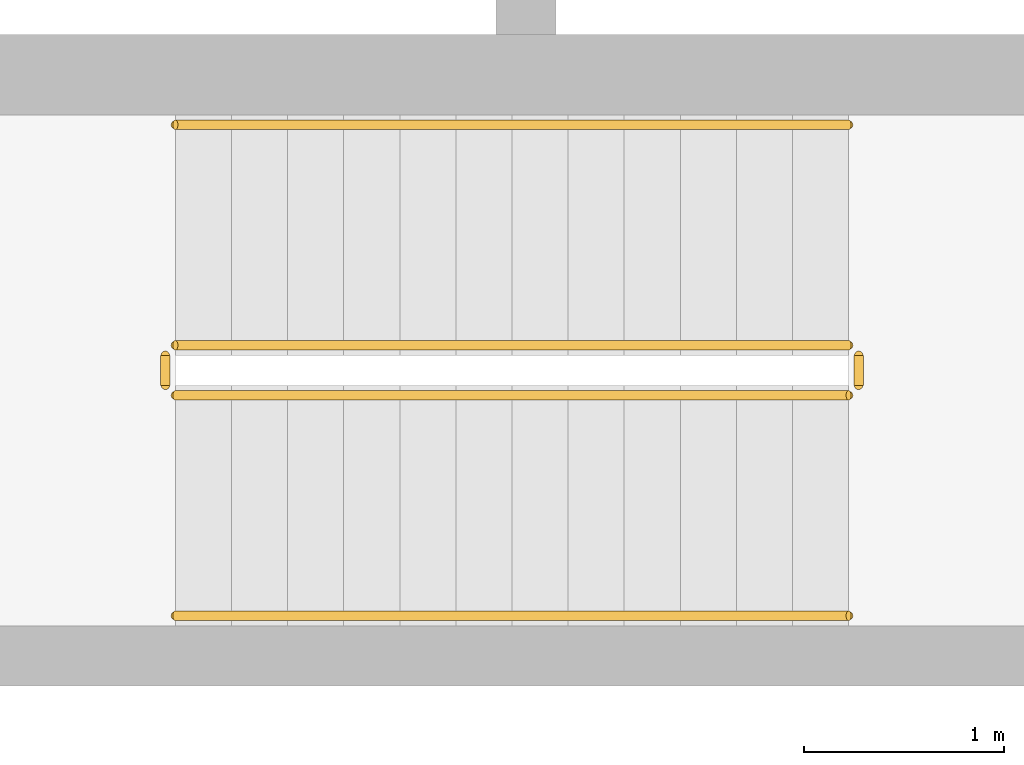
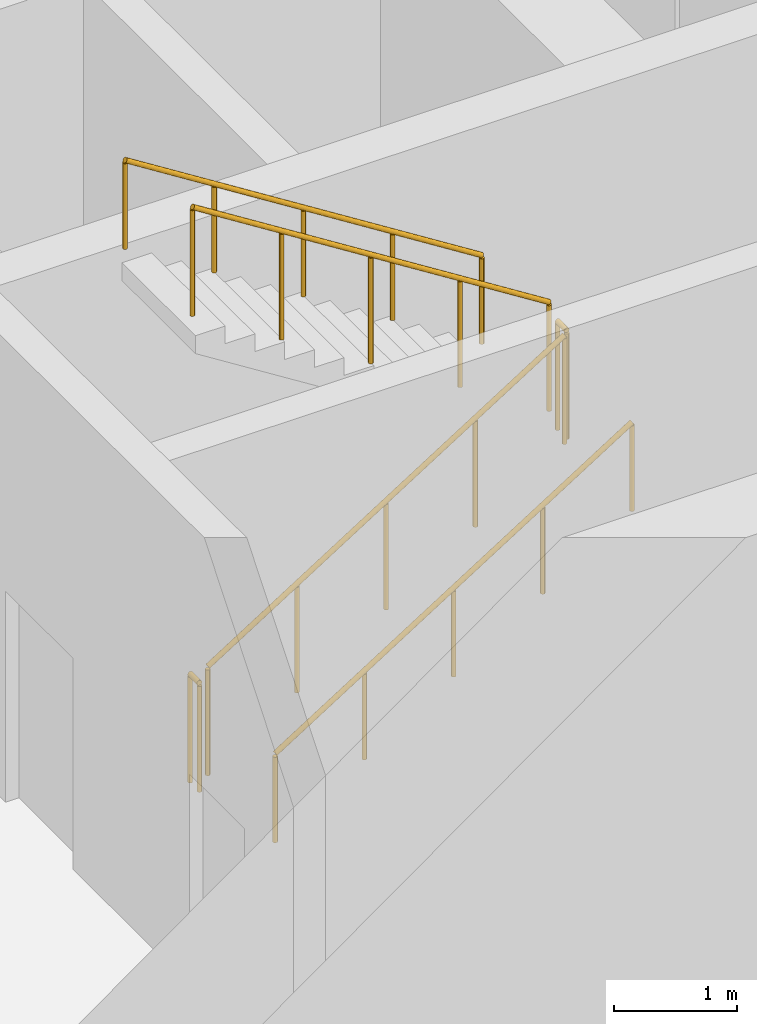
# One storey, part 14 of 19: 6 railings.
"""IFC4 building model written with IfcOpenShell, lengths in metres."""

from ifc_helpers import new_model, si_unit, direction, frame, origin, origin_2d, place, context, subcontext, project, spatial, circle, extrude, material, type_object, element, save


model = new_model("IFC4")

# Units and contexts
model_context = context("Model", 3, precision=1e-05, world=origin(), true_north=direction((0.0, 1.0)))
body_context = subcontext(model_context, "Body", "Model", "MODEL_VIEW")
ifc_project = project(units=[si_unit("LENGTHUNIT", "METRE"), si_unit("AREAUNIT", "SQUARE_METRE"), si_unit("VOLUMEUNIT", "CUBIC_METRE"), si_unit("PLANEANGLEUNIT", "RADIAN"), si_unit("MASSUNIT", "GRAM", prefix="KILO")], contexts=[model_context])

# Site, building, storey
site_placement = place(None, origin())
site = spatial("IfcSite", under=ifc_project, at=site_placement, CompositionType="ELEMENT")
building_placement = place(site_placement, origin())
building = spatial("IfcBuilding", under=site, at=building_placement, Name="Ostrand Prow Hotel Tower", CompositionType="ELEMENT")
storey_placement = place(building_placement, frame((0.0, 0.0, 170.89990234375)))
storey = spatial("IfcBuildingStorey", under=building, at=storey_placement, Name="L42", CompositionType="ELEMENT", Elevation=170.89990234375)

# Railings
ifc_material_1 = material(Name="Painted steel", Category="steel")
railing_type_1 = type_object("IfcRailingType", Name="Stair guard 1100", PredefinedType="GUARDRAIL", material=ifc_material_1)
railing_1_placement = place(storey_placement, frame((57.199951171875, -11.75, 0.177001953125)))
element("IfcRailing", 1, at=railing_1_placement, inside=storey, type_object=railing_type_1, Name="L42 ST2C stair guard 1", PredefinedType="GUARDRAIL", context=body_context, shape_type="SweptSolid", body=[
    extrude(circle(Radius=0.02392578125, at=origin_2d()), frame((0.0, 0.0, 1.076171875), z_axis=(0.845389635667, 0.0, 0.534150132366), x_axis=(0.0, 1.0, 0.0)), (0.0, 0.0, 1.0), 3.974609375),
    extrude(circle(Radius=0.02099609375, at=origin_2d()), origin(), (0.0, 0.0, 1.0), 1.052001953125),
    extrude(circle(Radius=0.02099609375, at=origin_2d()), frame((0.840087890625, 0.0, 0.53076171875)), (0.0, 0.0, 1.0), 1.052001953125),
    extrude(circle(Radius=0.02099609375, at=origin_2d()), frame((1.68017578125, 0.0, 1.0615234375)), (0.0, 0.0, 1.0), 1.052001953125),
    extrude(circle(Radius=0.02099609375, at=origin_2d()), frame((2.52001953125, 0.0, 1.59228515625)), (0.0, 0.0, 1.0), 1.052001953125),
    extrude(circle(Radius=0.02099609375, at=origin_2d()), frame((3.360107421875, 0.0, 2.123046875)), (0.0, 0.0, 1.0), 1.052001953125),
])
railing_2_placement = place(storey_placement, frame((60.610107421875, -11.699951171875, 2.300048828125)))
element("IfcRailing", 2, at=railing_2_placement, inside=storey, type_object=railing_type_1, Name="L42 ST2C stair guard 2", PredefinedType="GUARDRAIL", context=body_context, shape_type="SweptSolid", body=[
    extrude(circle(Radius=0.02392578125, at=origin_2d()), frame((0.0, 0.0, 1.076171875), z_axis=(0.0, 1.0, 0.0), x_axis=(-1.0, 0.0, 0.0)), (0.0, 0.0, 1.0), 0.14990234375),
    extrude(circle(Radius=0.02099609375, at=origin_2d()), origin(), (0.0, 0.0, 1.0), 1.052001953125),
    extrude(circle(Radius=0.02099609375, at=origin_2d()), frame((0.0, 0.14990234375, 0.0)), (0.0, 0.0, 1.0), 1.052001953125),
])
railing_3_placement = place(storey_placement, frame((60.56005859375, -11.5, 2.47705078125)))
element("IfcRailing", 3, at=railing_3_placement, inside=storey, type_object=railing_type_1, Name="L42 ST2C stair guard 3", PredefinedType="GUARDRAIL", context=body_context, shape_type="SweptSolid", body=[
    extrude(circle(Radius=0.02392578125, at=origin_2d()), frame((0.0, 0.0, 1.076171875), z_axis=(-0.845389635667, 0.0, 0.534150132366), x_axis=(0.0, -1.0, 0.0)), (0.0, 0.0, 1.0), 3.974609375),
    extrude(circle(Radius=0.02099609375, at=origin_2d()), origin(), (0.0, 0.0, 1.0), 1.052001953125),
    extrude(circle(Radius=0.02099609375, at=origin_2d()), frame((-0.840087890625, 0.0, 0.53076171875)), (0.0, 0.0, 1.0), 1.052001953125),
    extrude(circle(Radius=0.02099609375, at=origin_2d()), frame((-1.68017578125, 0.0, 1.0615234375)), (0.0, 0.0, 1.0), 1.052001953125),
    extrude(circle(Radius=0.02099609375, at=origin_2d()), frame((-2.52001953125, 0.0, 1.59228515625)), (0.0, 0.0, 1.0), 1.052001953125),
    extrude(circle(Radius=0.02099609375, at=origin_2d()), frame((-3.360107421875, 0.0, 2.123046875)), (0.0, 0.0, 1.0), 1.052001953125),
])
railing_4_placement = place(storey_placement, frame((57.14990234375, -11.699951171875, 0.0)))
element("IfcRailing", 4, at=railing_4_placement, inside=storey, type_object=railing_type_1, Name="L42 ST2C stair guard 4", PredefinedType="GUARDRAIL", context=body_context, shape_type="SweptSolid", body=[
    extrude(circle(Radius=0.02392578125, at=origin_2d()), frame((0.0, 0.0, 1.076171875), z_axis=(0.0, 1.0, 0.0), x_axis=(-1.0, 0.0, 0.0)), (0.0, 0.0, 1.0), 0.14990234375),
    extrude(circle(Radius=0.02099609375, at=origin_2d()), origin(), (0.0, 0.0, 1.0), 1.052001953125),
    extrude(circle(Radius=0.02099609375, at=origin_2d()), frame((0.0, 0.14990234375, 0.0)), (0.0, 0.0, 1.0), 1.052001953125),
])
ifc_material_2 = material(Name="Stainless steel", Category="steel")
railing_type_2 = type_object("IfcRailingType", Name="Stair handrail 900", PredefinedType="HANDRAIL", material=ifc_material_2)
railing_5_placement = place(storey_placement, frame((57.199951171875, -12.85009765625, 0.177001953125)))
element("IfcRailing", 5, at=railing_5_placement, inside=storey, type_object=railing_type_2, Name="L42 ST2C stair handrail 1", PredefinedType="HANDRAIL", context=body_context, shape_type="SweptSolid", body=[
    extrude(circle(Radius=0.02392578125, at=origin_2d()), frame((0.0, 0.0, 0.8759765625), z_axis=(0.845389635667, 0.0, 0.534150132366), x_axis=(0.0, 1.0, 0.0)), (0.0, 0.0, 1.0), 3.974609375),
    extrude(circle(Radius=0.02099609375, at=origin_2d()), origin(), (0.0, 0.0, 1.0), 0.851806640625),
    extrude(circle(Radius=0.02099609375, at=origin_2d()), frame((0.840087890625, 0.0, 0.53076171875)), (0.0, 0.0, 1.0), 0.851806640625),
    extrude(circle(Radius=0.02099609375, at=origin_2d()), frame((1.68017578125, 0.0, 1.0615234375)), (0.0, 0.0, 1.0), 0.851806640625),
    extrude(circle(Radius=0.02099609375, at=origin_2d()), frame((2.52001953125, 0.0, 1.59228515625)), (0.0, 0.0, 1.0), 0.851806640625),
    extrude(circle(Radius=0.02099609375, at=origin_2d()), frame((3.360107421875, 0.0, 2.123046875)), (0.0, 0.0, 1.0), 0.851806640625),
])
railing_6_placement = place(storey_placement, frame((60.56005859375, -10.39990234375, 2.47705078125)))
element("IfcRailing", 6, at=railing_6_placement, inside=storey, type_object=railing_type_2, Name="L42 ST2C stair handrail 2", PredefinedType="HANDRAIL", context=body_context, shape_type="SweptSolid", body=[
    extrude(circle(Radius=0.02392578125, at=origin_2d()), frame((0.0, 0.0, 0.8759765625), z_axis=(-0.845389635667, 0.0, 0.534150132366), x_axis=(0.0, -1.0, 0.0)), (0.0, 0.0, 1.0), 3.974609375),
    extrude(circle(Radius=0.02099609375, at=origin_2d()), origin(), (0.0, 0.0, 1.0), 0.851806640625),
    extrude(circle(Radius=0.02099609375, at=origin_2d()), frame((-0.840087890625, 0.0, 0.53076171875)), (0.0, 0.0, 1.0), 0.851806640625),
    extrude(circle(Radius=0.02099609375, at=origin_2d()), frame((-1.68017578125, 0.0, 1.0615234375)), (0.0, 0.0, 1.0), 0.851806640625),
    extrude(circle(Radius=0.02099609375, at=origin_2d()), frame((-2.52001953125, 0.0, 1.59228515625)), (0.0, 0.0, 1.0), 0.851806640625),
    extrude(circle(Radius=0.02099609375, at=origin_2d()), frame((-3.360107421875, 0.0, 2.123046875)), (0.0, 0.0, 1.0), 0.851806640625),
])

save(model, "model.ifc")
